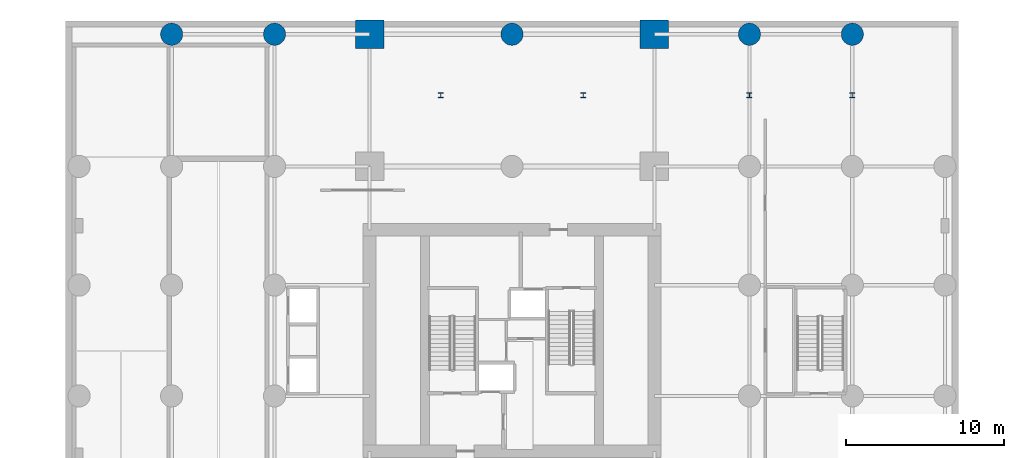
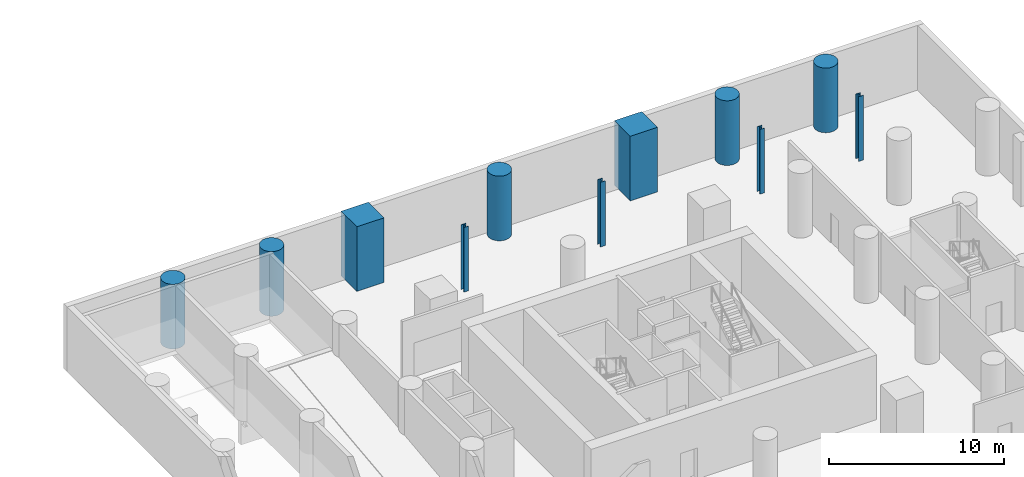
# One storey, part 3 of 8: 11 columns.
"""IFC4 building model written with IfcOpenShell, lengths in metres."""

from ifc_helpers import new_model, si_unit, direction, frame, origin, origin_2d, place, context, subcontext, project, spatial, rectangle, circle, i_section, extrude, material, material_profile, profile_set, type_object, element, save


model = new_model("IFC4")

# Units and contexts
model_context = context("Model", 3, precision=1e-05, world=origin(), true_north=direction((0.0, 1.0)))
body_context = subcontext(model_context, "Body", "Model", "MODEL_VIEW")
ifc_project = project(units=[si_unit("LENGTHUNIT", "METRE"), si_unit("AREAUNIT", "SQUARE_METRE"), si_unit("VOLUMEUNIT", "CUBIC_METRE"), si_unit("PLANEANGLEUNIT", "RADIAN"), si_unit("MASSUNIT", "GRAM", prefix="KILO")], contexts=[model_context])

# Site, building, storey
site_placement = place(None, origin())
site = spatial("IfcSite", under=ifc_project, at=site_placement, CompositionType="ELEMENT")
building_placement = place(site_placement, origin())
building = spatial("IfcBuilding", under=site, at=building_placement, Name="Veldorim Arch Residences", CompositionType="ELEMENT")
storey_placement = place(building_placement, frame((0.0, 0.0, -4.5)))
storey = spatial("IfcBuildingStorey", under=building, at=storey_placement, Name="B1", CompositionType="ELEMENT", Elevation=-4.5)

# Columns
ifc_material_1 = material(Name="Concrete C60/75", Category="concrete")
ifc_material_profile_1 = material_profile(ifc_material_1, circle(Radius=0.699951171875, at=origin_2d()), Name="RC_CIRC_1400")
ifc_profile_set_1 = profile_set([ifc_material_profile_1], Name="Concrete C60/75")
column_type_1 = type_object("IfcColumnType", Name="Structural Column RC_CIRC_1400", PredefinedType="COLUMN", material=ifc_profile_set_1)
for number, where, z_axis, x_axis, name in (
    (1, (10.5, 43.35009765625, 0.0), (0.0, 0.0, 1.0), (1.0, 0.0, 0.0), "B1 podium column (10.50, 43.35)"),
    (2, (17.0, 43.35009765625, 0.0), (0.0, 0.0, 1.0), (1.0, 0.0, 0.0), "B1 podium column (17.00, 43.35)"),
    (3, (47.0, 43.35009765625, 0.0), (0.0, 0.0, 1.0), (1.0, 0.0, 0.0), "B1 podium column (47.00, 43.35)"),
    (4, (53.5, 43.35009765625, 0.0), (0.0, 0.0, 1.0), (1.0, 0.0, 0.0), "B1 podium column (53.50, 43.35)"),
    (5, (32.0, 43.35009765625, 0.0), (0.0, 0.0, 1.0), (1.0, 0.0, 0.0), "B1 arch mega-pier (32.00, 43.35)"),
):
    element("IfcColumn", number, at=place(storey_placement, frame(where, z_axis=z_axis, x_axis=x_axis)), inside=storey, type_object=column_type_1, Name=name, PredefinedType="COLUMN", context=body_context, shape_type="SweptSolid", body=[
        extrude(circle(Radius=0.699951171875, at=origin_2d()), origin(), (0.0, 0.0, 1.0), 4.5),
    ])
ifc_material_2 = material(Name="Concrete C60/75", Category="concrete")
ifc_material_profile_2 = material_profile(ifc_material_2, rectangle(XDim=1.800048828125, YDim=1.800048828125, at=origin_2d()), Name="RC_RECT_1800x1800")
ifc_profile_set_2 = profile_set([ifc_material_profile_2], Name="Concrete C60/75")
column_type_2 = type_object("IfcColumnType", Name="Structural Column RC_RECT_1800x1800", PredefinedType="COLUMN", material=ifc_profile_set_2)
for number, where, z_axis, x_axis, name in (
    (6, (23.0, 43.35009765625, 0.0), (0.0, 0.0, 1.0), (1.0, 0.0, 0.0), "B1 arch mega-pier (23.00, 43.35)"),
    (7, (41.0, 43.35009765625, 0.0), (0.0, 0.0, 1.0), (1.0, 0.0, 0.0), "B1 arch mega-pier (41.00, 43.35)"),
):
    element("IfcColumn", number, at=place(storey_placement, frame(where, z_axis=z_axis, x_axis=x_axis)), inside=storey, type_object=column_type_2, Name=name, PredefinedType="COLUMN", context=body_context, shape_type="SweptSolid", body=[
        extrude(rectangle(XDim=1.800048828125, YDim=1.800048828125, at=origin_2d()), origin(), (0.0, 0.0, 1.0), 4.5),
    ])
ifc_material_3 = material(Name="Steel S355", Category="steel")
ifc_material_profile_3 = material_profile(ifc_material_3, i_section(OverallWidth=0.314453125, OverallDepth=0.33984375, WebThickness=0.01904296875, FlangeThickness=0.031494140625, at=origin_2d()), Name="UC305x305x198")
ifc_profile_set_3 = profile_set([ifc_material_profile_3], Name="Steel S355")
column_type_3 = type_object("IfcColumnType", Name="Structural Column UC305x305x198", PredefinedType="COLUMN", material=ifc_profile_set_3)
for number, where, z_axis, x_axis, name in (
    (8, (27.5, 39.5, 0.0), (0.0, 0.0, 1.0), (1.0, 0.0, 0.0), "B1 basement secondary column 03"),
    (9, (36.5, 39.5, 0.0), (0.0, 0.0, 1.0), (1.0, 0.0, 0.0), "B1 basement secondary column 04"),
    (10, (47.0, 39.5, 0.0), (0.0, 0.0, 1.0), (1.0, 0.0, 0.0), "B1 basement secondary column 09"),
    (11, (53.5, 39.5, 0.0), (0.0, 0.0, 1.0), (1.0, 0.0, 0.0), "B1 basement secondary column 10"),
):
    element("IfcColumn", number, at=place(storey_placement, frame(where, z_axis=z_axis, x_axis=x_axis)), inside=storey, type_object=column_type_3, Name=name, PredefinedType="COLUMN", context=body_context, shape_type="SweptSolid", body=[
        extrude(i_section(OverallWidth=0.314453125, OverallDepth=0.33984375, WebThickness=0.01904296875, FlangeThickness=0.031494140625, at=origin_2d()), origin(), (0.0, 0.0, 1.0), 4.5),
    ])

save(model, "model.ifc")
